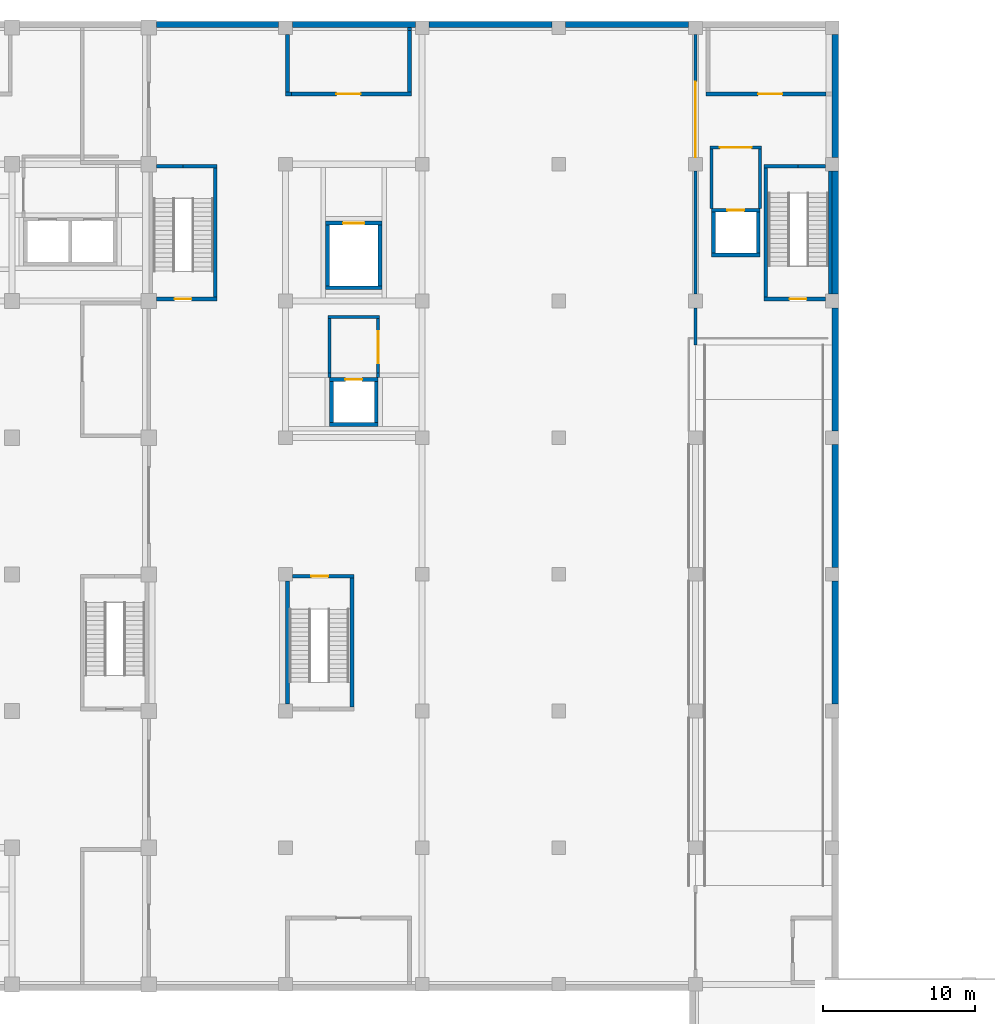
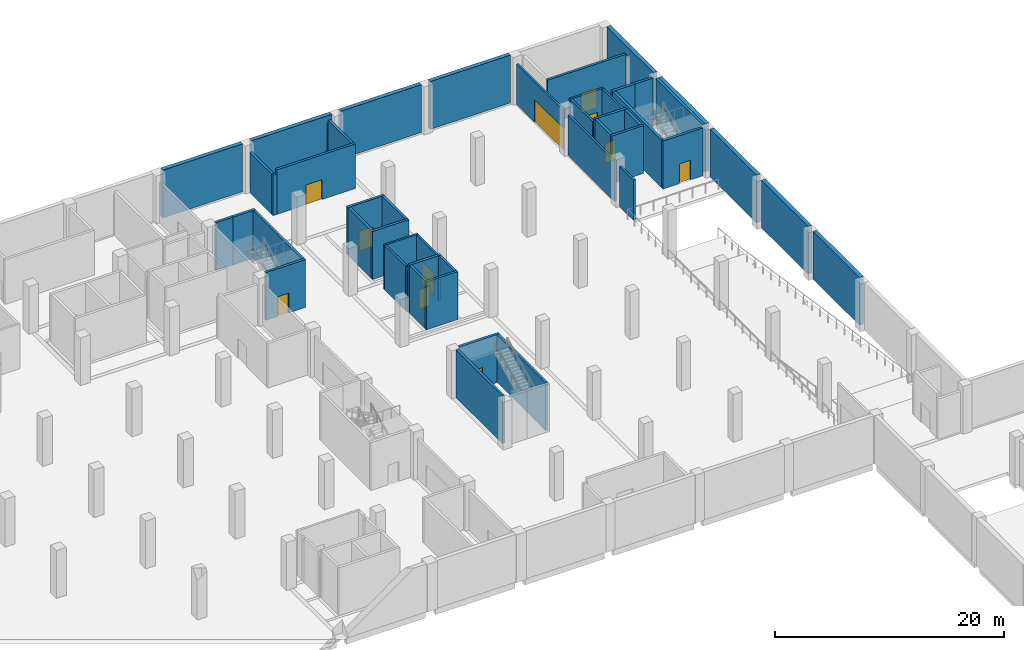
# One storey, part 9 of 16: 50 walls, 11 doors, 11 openings.
"""IFC4 building model written with IfcOpenShell, lengths in metres."""

from ifc_helpers import new_model, si_unit, direction, frame, frame_2d, origin, place, context, subcontext, project, spatial, rectangle, extrude, material, layer, layer_set, type_object, element, fill, save


model = new_model("IFC4")

# Units and contexts
model_context = context("Model", 3, precision=1e-05, world=origin(), true_north=direction((0.0, 1.0)))
body_context = subcontext(model_context, "Body", "Model", "MODEL_VIEW")
ifc_project = project(units=[si_unit("LENGTHUNIT", "METRE"), si_unit("AREAUNIT", "SQUARE_METRE"), si_unit("VOLUMEUNIT", "CUBIC_METRE"), si_unit("PLANEANGLEUNIT", "RADIAN"), si_unit("MASSUNIT", "GRAM", prefix="KILO")], contexts=[model_context])

# Site, building, storey
site_placement = place(None, origin())
site = spatial("IfcSite", under=ifc_project, at=site_placement, CompositionType="ELEMENT")
building_placement = place(site_placement, origin())
building = spatial("IfcBuilding", under=site, at=building_placement, Name="Guidao Yard Department Store", CompositionType="ELEMENT")
storey_placement = place(building_placement, frame((0.0, 0.0, -5.10009765625)))
storey = spatial("IfcBuildingStorey", under=building, at=storey_placement, Name="B1", CompositionType="ELEMENT", Elevation=-5.10009765625)

# Walls
ifc_material_1 = material(Name="Autoclaved aerated concrete block A3.5 B06", Category="concrete")
ifc_layer_1 = layer(ifc_material_1, 0.199951171875)
ifc_layer_set_1 = layer_set([ifc_layer_1], Name="Compartment Fire Wall 200 Autoclaved Block EI 180")
wall_type_1 = type_object("IfcWallType", Name="Compartment Fire Wall 200 Autoclaved Block EI 180", PredefinedType="PARTITIONING", material=ifc_layer_set_1)
wall_1_placement = place(storey_placement, frame((99.0, 87.10009765625, 0.0), z_axis=(0.0, 0.0, 1.0), x_axis=(0.0, 1.0, 0.0)))
element("IfcWall", 1, at=wall_1_placement, inside=storey, type_object=wall_type_1, Name="pt.wall.B1.0061", PredefinedType="PARTITIONING", context=body_context, shape_type="SweptSolid", body=[
    extrude(rectangle(XDim=2.449951171875, YDim=0.199951171875, at=frame_2d((1.22509765625, 0.0))), origin(), (0.0, 0.0, 1.0), 4.300048828125),
])
wall_2_placement = place(storey_placement, frame((99.0, 90.449951171875, 0.0), z_axis=(0.0, 0.0, 1.0), x_axis=(0.0, 1.0, 0.0)))
element("IfcWall", 2, at=wall_2_placement, inside=storey, type_object=wall_type_1, Name="pt.wall.B1.0062", PredefinedType="PARTITIONING", context=body_context, shape_type="SweptSolid", body=[
    extrude(rectangle(XDim=8.10009765625, YDim=0.199951171875, at=frame_2d((4.050048828125, 0.0))), origin(), (0.0, 0.0, 1.0), 4.300048828125),
])

# Wall, opening, door
wall_3_placement = place(storey_placement, frame((99.0, 99.449951171875, 0.0), z_axis=(0.0, 0.0, 1.0), x_axis=(0.0, 1.0, 0.0)))
wall_3 = element("IfcWall", 3, at=wall_3_placement, inside=storey, type_object=wall_type_1, Name="pt.wall.B1.0063", PredefinedType="PARTITIONING", context=body_context, shape_type="SweptSolid", body=[
    extrude(rectangle(XDim=8.10009765625, YDim=0.199951171875, at=frame_2d((4.050048828125, 0.0))), origin(), (0.0, 0.0, 1.0), 4.300048828125),
])
opening_1_placement = place(wall_3_placement, origin())
opening_1 = element("IfcOpeningElement", 4, at=opening_1_placement, cuts=wall_3, Name="Opening B1-429", PredefinedType="OPENING", context=body_context, shape_type="SweptSolid", body=[
    extrude(rectangle(XDim=5.0, YDim=2.39990234375, at=frame_2d((2.5, 1.199951171875))), frame((0.0, 0.10986328125, 0.0), z_axis=(0.0, -1.0, 0.0), x_axis=(1.0, 0.0, 0.0)), (0.0, 0.0, 1.0), 0.219970703125),
])
ifc_material_2 = material(Name="Steel Q235", Category="steel")
door_type_1 = type_object("IfcDoorType", Name="Fire Shutter 5000 x 2400 FD90", OperationType="ROLLINGUP", PredefinedType="DOOR", material=ifc_material_2)
door_1_placement = place(opening_1_placement, origin())
door_1 = element("IfcDoor", 5, at=door_1_placement, inside=storey, type_object=door_type_1, Name="Door B1-429", OperationType="SINGLE_SWING_LEFT", OverallHeight=2.39990234375, OverallWidth=5.0, PredefinedType="DOOR", context=body_context, shape_type="SweptSolid", body=[
    extrude(rectangle(XDim=5.0, YDim=2.39990234375, at=frame_2d((2.5, 1.199951171875))), frame((0.0, 0.02490234375, 0.0), z_axis=(0.0, -1.0, 0.0), x_axis=(1.0, 0.0, 0.0)), (0.0, 0.0, 1.0), 0.050048828125),
])
fill(opening_1, door_1)

# Walls
ifc_material_3 = material(Name="Concrete C40", Category="concrete")
ifc_layer_2 = layer(ifc_material_3, 0.39990234375)
ifc_layer_set_2 = layer_set([ifc_layer_2], Name="Retaining wall 400 C40")
wall_type_2 = type_object("IfcWallType", Name="Retaining wall 400 C40", PredefinedType="SOLIDWALL", material=ifc_layer_set_2)
for number, where, z_axis, x_axis, name in (
    (6, (108.199951171875, 63.449951171875, 0.0), (0.0, 0.0, 1.0), (0.0, 1.0, 0.0), "Retaining wall B1-040"),
    (7, (108.199951171875, 72.449951171875, 0.0), (0.0, 0.0, 1.0), (0.0, 1.0, 0.0), "Retaining wall B1-042"),
    (8, (108.199951171875, 81.449951171875, 0.0), (0.0, 0.0, 1.0), (0.0, 1.0, 0.0), "Retaining wall B1-044"),
    (9, (108.199951171875, 90.449951171875, 0.0), (0.0, 0.0, 1.0), (0.0, 1.0, 0.0), "Retaining wall B1-046"),
    (10, (108.199951171875, 99.449951171875, 0.0), (0.0, 0.0, 1.0), (0.0, 1.0, 0.0), "Retaining wall B1-048"),
):
    element("IfcWall", number, at=place(storey_placement, frame(where, z_axis=z_axis, x_axis=x_axis)), inside=storey, type_object=wall_type_2, Name=name, PredefinedType="SOLIDWALL", context=body_context, shape_type="SweptSolid", body=[
        extrude(rectangle(XDim=8.10009765625, YDim=0.39990234375, at=frame_2d((4.050048828125, 0.0))), origin(), (0.0, 0.0, 1.0), 5.10009765625),
    ])
wall_4_placement = place(storey_placement, frame((63.5, 108.199951171875, 0.0), z_axis=(0.0, 0.0, 1.0), x_axis=(1.0, 0.0, 0.0)))
element("IfcWall", 11, at=wall_4_placement, inside=storey, type_object=wall_type_2, Name="Retaining wall B1-057", PredefinedType="SOLIDWALL", context=body_context, shape_type="SweptSolid", body=[
    extrude(rectangle(XDim=8.050048828125, YDim=0.39990234375, at=frame_2d((4.02490234375, 0.0))), origin(), (0.0, 0.0, 1.0), 5.10009765625),
])
for number, where, z_axis, x_axis, name in (
    (12, (72.449951171875, 108.199951171875, 0.0), (0.0, 0.0, 1.0), (1.0, 0.0, 0.0), "Retaining wall B1-058"),
    (13, (81.449951171875, 108.199951171875, 0.0), (0.0, 0.0, 1.0), (1.0, 0.0, 0.0), "Retaining wall B1-059"),
    (14, (90.449951171875, 108.199951171875, 0.0), (0.0, 0.0, 1.0), (1.0, 0.0, 0.0), "Retaining wall B1-060"),
):
    element("IfcWall", number, at=place(storey_placement, frame(where, z_axis=z_axis, x_axis=x_axis)), inside=storey, type_object=wall_type_2, Name=name, PredefinedType="SOLIDWALL", context=body_context, shape_type="SweptSolid", body=[
        extrude(rectangle(XDim=8.10009765625, YDim=0.39990234375, at=frame_2d((4.050048828125, 0.0))), origin(), (0.0, 0.0, 1.0), 5.10009765625),
    ])
ifc_material_4 = material(Name="Autoclaved aerated concrete block A3.5 B06", Category="concrete")
ifc_layer_3 = layer(ifc_material_4, 0.199951171875)
ifc_layer_set_3 = layer_set([ifc_layer_3], Name="Shaft Wall 200 Autoclaved Block EI 120")
wall_type_3 = type_object("IfcWallType", Name="Shaft Wall 200 Autoclaved Block EI 120", PredefinedType="PARTITIONING", material=ifc_layer_set_3)
wall_5_placement = place(storey_placement, frame((74.800048828125, 88.949951171875, 0.0), z_axis=(0.0, 0.0, 1.0), x_axis=(1.0, 0.0, 0.0)))
element("IfcWall", 15, at=wall_5_placement, inside=storey, type_object=wall_type_3, Name="pt.wall.B1.0019", PredefinedType="PARTITIONING", context=body_context, shape_type="SweptSolid", body=[
    extrude(rectangle(XDim=3.39990234375, YDim=0.199951171875, at=frame_2d((1.699951171875, 0.0))), origin(), (0.0, 0.0, 1.0), 4.75),
])

# Wall, opening, door
wall_6_placement = place(storey_placement, frame((99.949951171875, 100.10009765625, 0.0), z_axis=(0.0, 0.0, 1.0), x_axis=(1.0, 0.0, 0.0)))
wall_6 = element("IfcWall", 16, at=wall_6_placement, inside=storey, type_object=wall_type_3, Name="pt.wall.B1.0027", PredefinedType="PARTITIONING", context=body_context, shape_type="SweptSolid", body=[
    extrude(rectangle(XDim=3.400146484375, YDim=0.199951171875, at=frame_2d((1.7001953125, 0.0))), origin(), (0.0, 0.0, 1.0), 4.75),
])
opening_2_placement = place(wall_6_placement, frame((2.75, 0.0, 0.0), z_axis=(0.0, 0.0, 1.0), x_axis=(-1.0, 0.0, 0.0)))
opening_2 = element("IfcOpeningElement", 17, at=opening_2_placement, cuts=wall_6, Name="Opening B1-423", PredefinedType="OPENING", context=body_context, shape_type="SweptSolid", body=[
    extrude(rectangle(XDim=2.10009765625, YDim=2.39990234375, at=frame_2d((1.050048828125, 1.199951171875))), frame((0.0, 0.10986328125, 0.0), z_axis=(0.0, -1.0, 0.0), x_axis=(1.0, 0.0, 0.0)), (0.0, 0.0, 1.0), 0.219970703125),
])
ifc_material_5 = material(Name="Timber door leaf with Steel Q235 frame", Category="steel")
door_type_2 = type_object("IfcDoorType", Name="Door 2100 x 2400 FD60 Double Leaf", OperationType="DOUBLE_DOOR_SINGLE_SWING", PredefinedType="DOOR", material=ifc_material_5)
door_2_placement = place(opening_2_placement, origin())
door_2 = element("IfcDoor", 18, at=door_2_placement, inside=storey, type_object=door_type_2, Name="Door B1-423", OperationType="DOUBLE_DOOR_SINGLE_SWING", OverallHeight=2.39990234375, OverallWidth=2.10009765625, PredefinedType="DOOR", context=body_context, shape_type="SweptSolid", body=[
    extrude(rectangle(XDim=2.10009765625, YDim=2.39990234375, at=frame_2d((1.050048828125, 1.199951171875))), frame((0.0, 0.02490234375, 0.0), z_axis=(0.0, -1.0, 0.0), x_axis=(1.0, 0.0, 0.0)), (0.0, 0.0, 1.0), 0.050048828125),
])
fill(opening_2, door_2)

# Walls
wall_7_placement = place(storey_placement, frame((74.89990234375, 84.949951171875, 0.0), z_axis=(0.0, 0.0, 1.0), x_axis=(0.0, 1.0, 0.0)))
element("IfcWall", 19, at=wall_7_placement, inside=storey, type_object=wall_type_3, Name="pt.wall.B1.0056", PredefinedType="PARTITIONING", context=body_context, shape_type="SweptSolid", body=[
    extrude(rectangle(XDim=0.300048828125, YDim=0.199951171875, at=frame_2d((0.14990234375, 0.0))), origin(), (0.0, 0.0, 1.0), 4.5),
])
wall_8_placement = place(storey_placement, frame((74.89990234375, 85.25, 0.0), z_axis=(0.0, 0.0, 1.0), x_axis=(0.0, 1.0, 0.0)))
element("IfcWall", 20, at=wall_8_placement, inside=storey, type_object=wall_type_3, Name="pt.wall.B1.0056a", PredefinedType="PARTITIONING", context=body_context, shape_type="SweptSolid", body=[
    extrude(rectangle(XDim=3.60009765625, YDim=0.199951171875, at=frame_2d((1.800048828125, 0.0))), origin(), (0.0, 0.0, 1.0), 4.75),
])
wall_9_placement = place(storey_placement, frame((78.10009765625, 84.949951171875, 0.0), z_axis=(0.0, 0.0, 1.0), x_axis=(0.0, 1.0, 0.0)))
element("IfcWall", 21, at=wall_9_placement, inside=storey, type_object=wall_type_3, Name="pt.wall.B1.0057", PredefinedType="PARTITIONING", context=body_context, shape_type="SweptSolid", body=[
    extrude(rectangle(XDim=0.300048828125, YDim=0.199951171875, at=frame_2d((0.14990234375, 0.0))), origin(), (0.0, 0.0, 1.0), 4.5),
])

# Wall, opening, door
wall_10_placement = place(storey_placement, frame((78.10009765625, 85.25, 0.0), z_axis=(0.0, 0.0, 1.0), x_axis=(0.0, 1.0, 0.0)))
wall_10 = element("IfcWall", 22, at=wall_10_placement, inside=storey, type_object=wall_type_3, Name="pt.wall.B1.0057a", PredefinedType="PARTITIONING", context=body_context, shape_type="SweptSolid", body=[
    extrude(rectangle(XDim=3.60009765625, YDim=0.199951171875, at=frame_2d((1.800048828125, 0.0))), origin(), (0.0, 0.0, 1.0), 4.75),
])
opening_3_placement = place(wall_10_placement, frame((0.64990234375, 0.0, 0.0)))
opening_3 = element("IfcOpeningElement", 23, at=opening_3_placement, cuts=wall_10, Name="Opening B1-422", PredefinedType="OPENING", context=body_context, shape_type="SweptSolid", body=[
    extrude(rectangle(XDim=2.10009765625, YDim=2.39990234375, at=frame_2d((1.050048828125, 1.199951171875))), frame((0.0, 0.10986328125, 0.0), z_axis=(0.0, -1.0, 0.0), x_axis=(1.0, 0.0, 0.0)), (0.0, 0.0, 1.0), 0.219970703125),
])
door_3_placement = place(opening_3_placement, origin())
door_3 = element("IfcDoor", 24, at=door_3_placement, inside=storey, type_object=door_type_2, Name="Door B1-422", OperationType="DOUBLE_DOOR_SINGLE_SWING", OverallHeight=2.39990234375, OverallWidth=2.10009765625, PredefinedType="DOOR", context=body_context, shape_type="SweptSolid", body=[
    extrude(rectangle(XDim=2.10009765625, YDim=2.39990234375, at=frame_2d((1.050048828125, 1.199951171875))), frame((0.0, 0.02490234375, 0.0), z_axis=(0.0, -1.0, 0.0), x_axis=(1.0, 0.0, 0.0)), (0.0, 0.0, 1.0), 0.050048828125),
])
fill(opening_3, door_3)

# Walls
for number, where, z_axis, x_axis, name in (
    (25, (100.050048828125, 96.10009765625, 0.0), (0.0, 0.0, 1.0), (0.0, 1.0, 0.0), "pt.wall.B1.0065"),
    (26, (103.25, 96.10009765625, 0.0), (0.0, 0.0, 1.0), (0.0, 1.0, 0.0), "pt.wall.B1.0066"),
):
    element("IfcWall", number, at=place(storey_placement, frame(where, z_axis=z_axis, x_axis=x_axis)), inside=storey, type_object=wall_type_3, Name=name, PredefinedType="PARTITIONING", context=body_context, shape_type="SweptSolid", body=[
        extrude(rectangle(XDim=3.89990234375, YDim=0.199951171875, at=frame_2d((1.949951171875, 0.0))), origin(), (0.0, 0.0, 1.0), 4.75),
    ])
ifc_material_6 = material(Name="Concrete C40", Category="concrete")
ifc_layer_4 = layer(ifc_material_6, 0.25)
ifc_layer_set_4 = layer_set([ifc_layer_4], Name="Support Wall 250 Concrete C40")
wall_type_4 = type_object("IfcWallType", Name="Support Wall 250 Concrete C40", PredefinedType="SOLIDWALL", material=ifc_layer_set_4)
wall_11_placement = place(storey_placement, frame((72.0, 103.625, 0.0), z_axis=(0.0, 0.0, 1.0), x_axis=(1.0, 0.0, 0.0)))
element("IfcWall", 27, at=wall_11_placement, inside=storey, type_object=wall_type_4, Name="pt.wall.B1.0029", PredefinedType="SOLIDWALL", context=body_context, shape_type="SweptSolid", body=[
    extrude(rectangle(XDim=0.39990234375, YDim=0.25, at=frame_2d((0.199951171875, 0.0))), origin(), (0.0, 0.0, 1.0), 4.300048828125),
])

# Wall, opening, door
wall_12_placement = place(storey_placement, frame((72.39990234375, 103.625, 0.0), z_axis=(0.0, 0.0, 1.0), x_axis=(1.0, 0.0, 0.0)))
wall_12 = element("IfcWall", 28, at=wall_12_placement, inside=storey, type_object=wall_type_4, Name="pt.wall.B1.0029a", PredefinedType="SOLIDWALL", context=body_context, shape_type="SweptSolid", body=[
    extrude(rectangle(XDim=7.900146484375, YDim=0.25, at=frame_2d((3.9501953125, 0.0))), origin(), (0.0, 0.0, 1.0), 4.75),
])
opening_4_placement = place(wall_12_placement, frame((2.949951171875, 0.0, 0.0)))
opening_4 = element("IfcOpeningElement", 29, at=opening_4_placement, cuts=wall_12, Name="Opening B1-413", PredefinedType="OPENING", context=body_context, shape_type="SweptSolid", body=[
    extrude(rectangle(XDim=1.60009765625, YDim=2.10009765625, at=frame_2d((0.800048828125, 1.050048828125))), frame((0.0, 0.135009765625, 0.0), z_axis=(0.0, -1.0, 0.0), x_axis=(1.0, 0.0, 0.0)), (0.0, 0.0, 1.0), 0.27001953125),
])
ifc_material_7 = material(Name="Timber door leaf with Steel Q235 frame", Category="steel")
door_type_3 = type_object("IfcDoorType", Name="Door 1600 x 2100 FD60 Double Leaf", OperationType="DOUBLE_DOOR_SINGLE_SWING", PredefinedType="DOOR", material=ifc_material_7)
door_4_placement = place(opening_4_placement, origin())
door_4 = element("IfcDoor", 30, at=door_4_placement, inside=storey, type_object=door_type_3, Name="Door B1-413", OperationType="DOUBLE_DOOR_SINGLE_SWING", OverallHeight=2.10009765625, OverallWidth=1.60009765625, PredefinedType="DOOR", context=body_context, shape_type="SweptSolid", body=[
    extrude(rectangle(XDim=1.60009765625, YDim=2.10009765625, at=frame_2d((0.800048828125, 1.050048828125))), frame((0.0, 0.02490234375, 0.0), z_axis=(0.0, -1.0, 0.0), x_axis=(1.0, 0.0, 0.0)), (0.0, 0.0, 1.0), 0.050048828125),
])
fill(opening_4, door_4)

wall_13_placement = place(storey_placement, frame((99.699951171875, 103.625, 0.0), z_axis=(0.0, 0.0, 1.0), x_axis=(1.0, 0.0, 0.0)))
wall_13 = element("IfcWall", 31, at=wall_13_placement, inside=storey, type_object=wall_type_4, Name="pt.wall.B1.0030", PredefinedType="SOLIDWALL", context=body_context, shape_type="SweptSolid", body=[
    extrude(rectangle(XDim=7.900146484375, YDim=0.25, at=frame_2d((3.9501953125, 0.0))), origin(), (0.0, 0.0, 1.0), 4.75),
])
opening_5_placement = place(wall_13_placement, frame((3.41259765625, 0.0, 0.0)))
opening_5 = element("IfcOpeningElement", 32, at=opening_5_placement, cuts=wall_13, Name="Opening B1-415", PredefinedType="OPENING", context=body_context, shape_type="SweptSolid", body=[
    extrude(rectangle(XDim=1.60009765625, YDim=2.10009765625, at=frame_2d((0.800048828125, 1.050048828125))), frame((0.0, 0.135009765625, 0.0), z_axis=(0.0, -1.0, 0.0), x_axis=(1.0, 0.0, 0.0)), (0.0, 0.0, 1.0), 0.27001953125),
])
door_5_placement = place(opening_5_placement, origin())
door_5 = element("IfcDoor", 33, at=door_5_placement, inside=storey, type_object=door_type_3, Name="Door B1-415", OperationType="DOUBLE_DOOR_SINGLE_SWING", OverallHeight=2.10009765625, OverallWidth=1.60009765625, PredefinedType="DOOR", context=body_context, shape_type="SweptSolid", body=[
    extrude(rectangle(XDim=1.60009765625, YDim=2.10009765625, at=frame_2d((0.800048828125, 1.050048828125))), frame((0.0, 0.02490234375, 0.0), z_axis=(0.0, -1.0, 0.0), x_axis=(1.0, 0.0, 0.0)), (0.0, 0.0, 1.0), 0.050048828125),
])
fill(opening_5, door_5)

# Walls
wall_14_placement = place(storey_placement, frame((72.125, 103.75, 0.0), z_axis=(0.0, 0.0, 1.0), x_axis=(0.0, 1.0, 0.0)))
element("IfcWall", 34, at=wall_14_placement, inside=storey, type_object=wall_type_4, Name="pt.wall.B1.0055", PredefinedType="SOLIDWALL", context=body_context, shape_type="SweptSolid", body=[
    extrude(rectangle(XDim=3.800048828125, YDim=0.25, at=frame_2d((1.89990234375, 0.0))), origin(), (0.0, 0.0, 1.0), 4.300048828125),
])
wall_15_placement = place(storey_placement, frame((80.175048828125, 103.75, 0.0), z_axis=(0.0, 0.0, 1.0), x_axis=(0.0, 1.0, 0.0)))
element("IfcWall", 35, at=wall_15_placement, inside=storey, type_object=wall_type_4, Name="pt.wall.B1.0059", PredefinedType="SOLIDWALL", context=body_context, shape_type="SweptSolid", body=[
    extrude(rectangle(XDim=4.050048828125, YDim=0.25, at=frame_2d((2.02490234375, 0.0))), origin(), (0.0, 0.0, 1.0), 4.75),
])
wall_16_placement = place(storey_placement, frame((80.175048828125, 107.800048828125, 0.0), z_axis=(0.0, 0.0, 1.0), x_axis=(0.0, 1.0, 0.0)))
element("IfcWall", 36, at=wall_16_placement, inside=storey, type_object=wall_type_4, Name="pt.wall.B1.0059a", PredefinedType="SOLIDWALL", context=body_context, shape_type="SweptSolid", body=[
    extrude(rectangle(XDim=0.199951171875, YDim=0.25, at=frame_2d((0.10009765625, 0.0))), origin(), (0.0, 0.0, 1.0), 4.300048828125),
])

# Wall, opening, door
ifc_material_8 = material(Name="Concrete C40", Category="concrete")
ifc_layer_5 = layer(ifc_material_8, 0.25)
ifc_layer_set_5 = layer_set([ifc_layer_5], Name="Wall RC 250 C40 stair and shaft")
wall_type_5 = type_object("IfcWallType", Name="Wall RC 250 C40 stair and shaft", PredefinedType="SHEAR", material=ifc_layer_set_5)
wall_17_placement = place(storey_placement, frame((72.449951171875, 71.875, 0.0), z_axis=(0.0, 0.0, 1.0), x_axis=(1.0, 0.0, 0.0)))
wall_17 = element("IfcWall", 37, at=wall_17_placement, inside=storey, type_object=wall_type_5, Name="Stair wall BSG1", PredefinedType="SHEAR", context=body_context, shape_type="SweptSolid", body=[
    extrude(rectangle(XDim=4.050048828125, YDim=0.25, at=frame_2d((2.02490234375, 0.0))), origin(), (0.0, 0.0, 1.0), 5.10009765625),
])
opening_6_placement = place(wall_17_placement, frame((2.35009765625, 0.0, 0.0), z_axis=(0.0, 0.0, 1.0), x_axis=(-1.0, 0.0, 0.0)))
opening_6 = element("IfcOpeningElement", 38, at=opening_6_placement, cuts=wall_17, Name="Opening B1-800", PredefinedType="OPENING", context=body_context, shape_type="SweptSolid", body=[
    extrude(rectangle(XDim=1.10009765625, YDim=2.10009765625, at=frame_2d((0.550048828125, 1.050048828125))), frame((0.0, 0.135009765625, 0.0), z_axis=(0.0, -1.0, 0.0), x_axis=(1.0, 0.0, 0.0)), (0.0, 0.0, 1.0), 0.27001953125),
])
ifc_material_9 = material(Name="Steel Q235", Category="steel")
door_type_4 = type_object("IfcDoorType", Name="Door fire-resisting 1100 x 2100 FD60", OperationType="SINGLE_SWING_LEFT", PredefinedType="DOOR", material=ifc_material_9)
door_6_placement = place(opening_6_placement, origin())
door_6 = element("IfcDoor", 39, at=door_6_placement, inside=storey, type_object=door_type_4, Name="Basement stair G1 door B1", OperationType="SINGLE_SWING_RIGHT", OverallHeight=2.10009765625, OverallWidth=1.10009765625, PredefinedType="DOOR", context=body_context, shape_type="SweptSolid", body=[
    extrude(rectangle(XDim=1.10009765625, YDim=2.10009765625, at=frame_2d((0.550048828125, 1.050048828125))), frame((0.0, 0.02490234375, 0.0), z_axis=(0.0, -1.0, 0.0), x_axis=(1.0, 0.0, 0.0)), (0.0, 0.0, 1.0), 0.050048828125),
])
fill(opening_6, door_6)

# Walls
wall_18_placement = place(storey_placement, frame((72.125, 63.449951171875, 0.0), z_axis=(0.0, 0.0, 1.0), x_axis=(0.0, 1.0, 0.0)))
element("IfcWall", 40, at=wall_18_placement, inside=storey, type_object=wall_type_5, Name="Stair wall BSG1", PredefinedType="SHEAR", context=body_context, shape_type="SweptSolid", body=[
    extrude(rectangle(XDim=8.10009765625, YDim=0.25, at=frame_2d((4.050048828125, 0.0))), origin(), (0.0, 0.0, 1.0), 5.10009765625),
])
wall_19_placement = place(storey_placement, frame((76.375, 63.25, 0.0), z_axis=(0.0, 0.0, 1.0), x_axis=(0.0, 1.0, 0.0)))
element("IfcWall", 41, at=wall_19_placement, inside=storey, type_object=wall_type_5, Name="Stair wall BSG1", PredefinedType="SHEAR", context=body_context, shape_type="SweptSolid", body=[
    extrude(rectangle(XDim=8.5, YDim=0.25, at=frame_2d((4.25, 0.0))), origin(), (0.0, 0.0, 1.0), 5.10009765625),
])

# Wall, opening, door
wall_20_placement = place(storey_placement, frame((103.5, 90.125, 0.0), z_axis=(0.0, 0.0, 1.0), x_axis=(1.0, 0.0, 0.0)))
wall_20 = element("IfcWall", 42, at=wall_20_placement, inside=storey, type_object=wall_type_5, Name="Stair wall BSG2", PredefinedType="SHEAR", context=body_context, shape_type="SweptSolid", body=[
    extrude(rectangle(XDim=4.050048828125, YDim=0.25, at=frame_2d((2.02490234375, 0.0))), origin(), (0.0, 0.0, 1.0), 5.10009765625),
])
opening_7_placement = place(wall_20_placement, frame((1.699951171875, 0.0, 0.0)))
opening_7 = element("IfcOpeningElement", 43, at=opening_7_placement, cuts=wall_20, Name="Opening B1-801", PredefinedType="OPENING", context=body_context, shape_type="SweptSolid", body=[
    extrude(rectangle(XDim=1.10009765625, YDim=2.10009765625, at=frame_2d((0.550048828125, 1.050048828125))), frame((0.0, 0.135009765625, 0.0), z_axis=(0.0, -1.0, 0.0), x_axis=(1.0, 0.0, 0.0)), (0.0, 0.0, 1.0), 0.27001953125),
])
door_7_placement = place(opening_7_placement, origin())
door_7 = element("IfcDoor", 44, at=door_7_placement, inside=storey, type_object=door_type_4, Name="Basement stair G2 door B1", OperationType="SINGLE_SWING_RIGHT", OverallHeight=2.10009765625, OverallWidth=1.10009765625, PredefinedType="DOOR", context=body_context, shape_type="SweptSolid", body=[
    extrude(rectangle(XDim=1.10009765625, YDim=2.10009765625, at=frame_2d((0.550048828125, 1.050048828125))), frame((0.0, 0.02490234375, 0.0), z_axis=(0.0, -1.0, 0.0), x_axis=(1.0, 0.0, 0.0)), (0.0, 0.0, 1.0), 0.050048828125),
])
fill(opening_7, door_7)

# Walls
wall_21_placement = place(storey_placement, frame((103.5, 98.875, 0.0), z_axis=(0.0, 0.0, 1.0), x_axis=(1.0, 0.0, 0.0)))
element("IfcWall", 45, at=wall_21_placement, inside=storey, type_object=wall_type_5, Name="Stair wall BSG2", PredefinedType="SHEAR", context=body_context, shape_type="SweptSolid", body=[
    extrude(rectangle(XDim=2.25, YDim=0.25, at=frame_2d((1.125, 0.0))), origin(), (0.0, 0.0, 1.0), 5.10009765625),
])
wall_22_placement = place(storey_placement, frame((105.75, 98.875, 0.0), z_axis=(0.0, 0.0, 1.0), x_axis=(1.0, 0.0, 0.0)))
element("IfcWall", 46, at=wall_22_placement, inside=storey, type_object=wall_type_5, Name="Stair wall BSG2", PredefinedType="SHEAR", context=body_context, shape_type="SweptSolid", body=[
    extrude(rectangle(XDim=1.800048828125, YDim=0.25, at=frame_2d((0.89990234375, 0.0))), origin(), (0.0, 0.0, 1.0), 5.10009765625),
])
wall_23_placement = place(storey_placement, frame((103.625, 90.25, 0.0), z_axis=(0.0, 0.0, 1.0), x_axis=(0.0, 1.0, 0.0)))
element("IfcWall", 47, at=wall_23_placement, inside=storey, type_object=wall_type_5, Name="Stair wall BSG2", PredefinedType="SHEAR", context=body_context, shape_type="SweptSolid", body=[
    extrude(rectangle(XDim=8.5, YDim=0.25, at=frame_2d((4.25, 0.0))), origin(), (0.0, 0.0, 1.0), 5.10009765625),
])
wall_24_placement = place(storey_placement, frame((107.875, 90.449951171875, 0.0), z_axis=(0.0, 0.0, 1.0), x_axis=(0.0, 1.0, 0.0)))
element("IfcWall", 48, at=wall_24_placement, inside=storey, type_object=wall_type_5, Name="Stair wall BSG2", PredefinedType="SHEAR", context=body_context, shape_type="SweptSolid", body=[
    extrude(rectangle(XDim=8.10009765625, YDim=0.25, at=frame_2d((4.050048828125, 0.0))), origin(), (0.0, 0.0, 1.0), 5.10009765625),
])

# Wall, opening, door
wall_25_placement = place(storey_placement, frame((63.5, 90.125, 0.0), z_axis=(0.0, 0.0, 1.0), x_axis=(1.0, 0.0, 0.0)))
wall_25 = element("IfcWall", 49, at=wall_25_placement, inside=storey, type_object=wall_type_5, Name="Stair wall BSH2", PredefinedType="SHEAR", context=body_context, shape_type="SweptSolid", body=[
    extrude(rectangle(XDim=4.0, YDim=0.25, at=frame_2d((2.0, 0.0))), origin(), (0.0, 0.0, 1.0), 5.10009765625),
])
opening_8_placement = place(wall_25_placement, frame((1.199951171875, 0.0, 0.0)))
opening_8 = element("IfcOpeningElement", 50, at=opening_8_placement, cuts=wall_25, Name="Opening B1-803", PredefinedType="OPENING", context=body_context, shape_type="SweptSolid", body=[
    extrude(rectangle(XDim=1.10009765625, YDim=2.10009765625, at=frame_2d((0.550048828125, 1.050048828125))), frame((0.0, 0.135009765625, 0.0), z_axis=(0.0, -1.0, 0.0), x_axis=(1.0, 0.0, 0.0)), (0.0, 0.0, 1.0), 0.27001953125),
])
door_8_placement = place(opening_8_placement, origin())
door_8 = element("IfcDoor", 51, at=door_8_placement, inside=storey, type_object=door_type_4, Name="Basement stair H2 door B1", OperationType="SINGLE_SWING_LEFT", OverallHeight=2.10009765625, OverallWidth=1.10009765625, PredefinedType="DOOR", context=body_context, shape_type="SweptSolid", body=[
    extrude(rectangle(XDim=1.10009765625, YDim=2.10009765625, at=frame_2d((0.550048828125, 1.050048828125))), frame((0.0, 0.02490234375, 0.0), z_axis=(0.0, -1.0, 0.0), x_axis=(1.0, 0.0, 0.0)), (0.0, 0.0, 1.0), 0.050048828125),
])
fill(opening_8, door_8)

# Walls
wall_26_placement = place(storey_placement, frame((63.5, 98.875, 0.0), z_axis=(0.0, 0.0, 1.0), x_axis=(1.0, 0.0, 0.0)))
element("IfcWall", 52, at=wall_26_placement, inside=storey, type_object=wall_type_5, Name="Stair wall BSH2", PredefinedType="SHEAR", context=body_context, shape_type="SweptSolid", body=[
    extrude(rectangle(XDim=1.75, YDim=0.25, at=frame_2d((0.875, 0.0))), origin(), (0.0, 0.0, 1.0), 5.10009765625),
])
wall_27_placement = place(storey_placement, frame((65.25, 98.875, 0.0), z_axis=(0.0, 0.0, 1.0), x_axis=(1.0, 0.0, 0.0)))
element("IfcWall", 53, at=wall_27_placement, inside=storey, type_object=wall_type_5, Name="Stair wall BSH2", PredefinedType="SHEAR", context=body_context, shape_type="SweptSolid", body=[
    extrude(rectangle(XDim=2.25, YDim=0.25, at=frame_2d((1.125, 0.0))), origin(), (0.0, 0.0, 1.0), 5.10009765625),
])
wall_28_placement = place(storey_placement, frame((67.375, 90.25, 0.0), z_axis=(0.0, 0.0, 1.0), x_axis=(0.0, 1.0, 0.0)))
element("IfcWall", 54, at=wall_28_placement, inside=storey, type_object=wall_type_5, Name="Stair wall BSH2", PredefinedType="SHEAR", context=body_context, shape_type="SweptSolid", body=[
    extrude(rectangle(XDim=8.5, YDim=0.25, at=frame_2d((4.25, 0.0))), origin(), (0.0, 0.0, 1.0), 5.10009765625),
])

# Wall, opening, door
wall_29_placement = place(storey_placement, frame((74.89990234375, 84.824951171875, 0.0), z_axis=(0.0, 0.0, 1.0), x_axis=(1.0, 0.0, 0.0)))
wall_29 = element("IfcWall", 55, at=wall_29_placement, inside=storey, type_object=wall_type_5, Name="Lift shaft wall GL1", PredefinedType="SHEAR", context=body_context, shape_type="SweptSolid", body=[
    extrude(rectangle(XDim=3.2001953125, YDim=0.25, at=frame_2d((1.60009765625, 0.0))), origin(), (0.0, 0.0, 1.0), 5.10009765625),
])
opening_9_placement = place(wall_29_placement, frame((1.050048828125, 0.0, 0.0)))
opening_9 = element("IfcOpeningElement", 56, at=opening_9_placement, cuts=wall_29, Name="Opening LD-GL1-B1", PredefinedType="OPENING", context=body_context, shape_type="SweptSolid", body=[
    extrude(rectangle(XDim=1.10009765625, YDim=2.10009765625, at=frame_2d((0.550048828125, 1.050048828125))), frame((0.0, 0.135009765625, 0.0), z_axis=(0.0, -1.0, 0.0), x_axis=(1.0, 0.0, 0.0)), (0.0, 0.0, 1.0), 0.27001953125),
])
ifc_material_10 = material(Name="Stainless steel 06Cr19Ni10", Category="steel")
door_type_5 = type_object("IfcDoorType", Name="Lift landing door fire-resisting sliding 1100 x 2100", OperationType="DOUBLE_DOOR_SLIDING", PredefinedType="DOOR", material=ifc_material_10)
door_9_placement = place(opening_9_placement, origin())
door_9 = element("IfcDoor", 57, at=door_9_placement, inside=storey, type_object=door_type_5, Name="Lift landing door GL1 B1", OperationType="DOUBLE_DOOR_SLIDING", OverallHeight=2.10009765625, OverallWidth=1.10009765625, PredefinedType="DOOR", context=body_context, shape_type="SweptSolid", body=[
    extrude(rectangle(XDim=1.10009765625, YDim=2.10009765625, at=frame_2d((0.550048828125, 1.050048828125))), frame((0.0, 0.02490234375, 0.0), z_axis=(0.0, -1.0, 0.0), x_axis=(1.0, 0.0, 0.0)), (0.0, 0.0, 1.0), 0.050048828125),
])
fill(opening_9, door_9)

# Walls
wall_30_placement = place(storey_placement, frame((74.89990234375, 81.875, 0.0), z_axis=(0.0, 0.0, 1.0), x_axis=(1.0, 0.0, 0.0)))
element("IfcWall", 58, at=wall_30_placement, inside=storey, type_object=wall_type_5, Name="Lift shaft wall GL1", PredefinedType="SHEAR", context=body_context, shape_type="SweptSolid", body=[
    extrude(rectangle(XDim=3.2001953125, YDim=0.25, at=frame_2d((1.60009765625, 0.0))), origin(), (0.0, 0.0, 1.0), 5.10009765625),
])
for number, where, z_axis, x_axis, name in (
    (59, (75.02490234375, 82.0, 0.0), (0.0, 0.0, 1.0), (0.0, 1.0, 0.0), "Lift shaft wall GL1"),
    (60, (77.97509765625, 82.0, 0.0), (0.0, 0.0, 1.0), (0.0, 1.0, 0.0), "Lift shaft wall GL1"),
):
    element("IfcWall", number, at=place(storey_placement, frame(where, z_axis=z_axis, x_axis=x_axis)), inside=storey, type_object=wall_type_5, Name=name, PredefinedType="SHEAR", context=body_context, shape_type="SweptSolid", body=[
        extrude(rectangle(XDim=2.699951171875, YDim=0.25, at=frame_2d((1.35009765625, 0.0))), origin(), (0.0, 0.0, 1.0), 5.10009765625),
    ])

# Wall, opening, door
wall_31_placement = place(storey_placement, frame((74.64990234375, 95.125, 0.0), z_axis=(0.0, 0.0, 1.0), x_axis=(1.0, 0.0, 0.0)))
wall_31 = element("IfcWall", 61, at=wall_31_placement, inside=storey, type_object=wall_type_5, Name="Lift shaft wall GG1", PredefinedType="SHEAR", context=body_context, shape_type="SweptSolid", body=[
    extrude(rectangle(XDim=3.7001953125, YDim=0.25, at=frame_2d((1.85009765625, 0.0))), origin(), (0.0, 0.0, 1.0), 5.10009765625),
])
opening_10_placement = place(wall_31_placement, frame((1.14990234375, 0.0, 0.0)))
opening_10 = element("IfcOpeningElement", 62, at=opening_10_placement, cuts=wall_31, Name="Opening LD-GG1-B1", PredefinedType="OPENING", context=body_context, shape_type="SweptSolid", body=[
    extrude(rectangle(XDim=1.39990234375, YDim=2.10009765625, at=frame_2d((0.699951171875, 1.050048828125))), frame((0.0, 0.135009765625, 0.0), z_axis=(0.0, -1.0, 0.0), x_axis=(1.0, 0.0, 0.0)), (0.0, 0.0, 1.0), 0.27001953125),
])
ifc_material_11 = material(Name="Stainless steel 06Cr19Ni10", Category="steel")
door_type_6 = type_object("IfcDoorType", Name="Lift landing door fire-resisting sliding 1400 x 2100", OperationType="DOUBLE_DOOR_SLIDING", PredefinedType="DOOR", material=ifc_material_11)
door_10_placement = place(opening_10_placement, origin())
door_10 = element("IfcDoor", 63, at=door_10_placement, inside=storey, type_object=door_type_6, Name="Lift landing door GG1 B1", OperationType="DOUBLE_DOOR_SLIDING", OverallHeight=2.10009765625, OverallWidth=1.39990234375, PredefinedType="DOOR", context=body_context, shape_type="SweptSolid", body=[
    extrude(rectangle(XDim=1.39990234375, YDim=2.10009765625, at=frame_2d((0.699951171875, 1.050048828125))), frame((0.0, 0.02490234375, 0.0), z_axis=(0.0, -1.0, 0.0), x_axis=(1.0, 0.0, 0.0)), (0.0, 0.0, 1.0), 0.050048828125),
])
fill(opening_10, door_10)

# Walls
wall_32_placement = place(storey_placement, frame((74.64990234375, 90.875, 0.0), z_axis=(0.0, 0.0, 1.0), x_axis=(1.0, 0.0, 0.0)))
element("IfcWall", 64, at=wall_32_placement, inside=storey, type_object=wall_type_5, Name="Lift shaft wall GG1", PredefinedType="SHEAR", context=body_context, shape_type="SweptSolid", body=[
    extrude(rectangle(XDim=3.7001953125, YDim=0.25, at=frame_2d((1.85009765625, 0.0))), origin(), (0.0, 0.0, 1.0), 5.10009765625),
])
for number, where, z_axis, x_axis, name in (
    (65, (74.77490234375, 91.0, 0.0), (0.0, 0.0, 1.0), (0.0, 1.0, 0.0), "Lift shaft wall GG1"),
    (66, (78.22509765625, 91.0, 0.0), (0.0, 0.0, 1.0), (0.0, 1.0, 0.0), "Lift shaft wall GG1"),
):
    element("IfcWall", number, at=place(storey_placement, frame(where, z_axis=z_axis, x_axis=x_axis)), inside=storey, type_object=wall_type_5, Name=name, PredefinedType="SHEAR", context=body_context, shape_type="SweptSolid", body=[
        extrude(rectangle(XDim=4.0, YDim=0.25, at=frame_2d((2.0, 0.0))), origin(), (0.0, 0.0, 1.0), 5.10009765625),
    ])

# Wall, opening, door
wall_33_placement = place(storey_placement, frame((100.050048828125, 95.97509765625, 0.0), z_axis=(0.0, 0.0, 1.0), x_axis=(1.0, 0.0, 0.0)))
wall_33 = element("IfcWall", 67, at=wall_33_placement, inside=storey, type_object=wall_type_5, Name="Lift shaft wall GL2", PredefinedType="SHEAR", context=body_context, shape_type="SweptSolid", body=[
    extrude(rectangle(XDim=3.199951171875, YDim=0.25, at=frame_2d((1.60009765625, 0.0))), origin(), (0.0, 0.0, 1.0), 5.10009765625),
])
opening_11_placement = place(wall_33_placement, frame((1.050048828125, 0.0, 0.0)))
opening_11 = element("IfcOpeningElement", 68, at=opening_11_placement, cuts=wall_33, Name="Opening LD-GL2-B1", PredefinedType="OPENING", context=body_context, shape_type="SweptSolid", body=[
    extrude(rectangle(XDim=1.10009765625, YDim=2.10009765625, at=frame_2d((0.550048828125, 1.050048828125))), frame((0.0, 0.135009765625, 0.0), z_axis=(0.0, -1.0, 0.0), x_axis=(1.0, 0.0, 0.0)), (0.0, 0.0, 1.0), 0.27001953125),
])
door_11_placement = place(opening_11_placement, origin())
door_11 = element("IfcDoor", 69, at=door_11_placement, inside=storey, type_object=door_type_5, Name="Lift landing door GL2 B1", OperationType="DOUBLE_DOOR_SLIDING", OverallHeight=2.10009765625, OverallWidth=1.10009765625, PredefinedType="DOOR", context=body_context, shape_type="SweptSolid", body=[
    extrude(rectangle(XDim=1.10009765625, YDim=2.10009765625, at=frame_2d((0.550048828125, 1.050048828125))), frame((0.0, 0.02490234375, 0.0), z_axis=(0.0, -1.0, 0.0), x_axis=(1.0, 0.0, 0.0)), (0.0, 0.0, 1.0), 0.050048828125),
])
fill(opening_11, door_11)

# Walls
wall_34_placement = place(storey_placement, frame((100.050048828125, 93.02490234375, 0.0), z_axis=(0.0, 0.0, 1.0), x_axis=(1.0, 0.0, 0.0)))
element("IfcWall", 70, at=wall_34_placement, inside=storey, type_object=wall_type_5, Name="Lift shaft wall GL2", PredefinedType="SHEAR", context=body_context, shape_type="SweptSolid", body=[
    extrude(rectangle(XDim=3.199951171875, YDim=0.25, at=frame_2d((1.60009765625, 0.0))), origin(), (0.0, 0.0, 1.0), 5.10009765625),
])
for number, where, z_axis, x_axis, name in (
    (71, (100.175048828125, 93.14990234375, 0.0), (0.0, 0.0, 1.0), (0.0, 1.0, 0.0), "Lift shaft wall GL2"),
    (72, (103.125, 93.14990234375, 0.0), (0.0, 0.0, 1.0), (0.0, 1.0, 0.0), "Lift shaft wall GL2"),
):
    element("IfcWall", number, at=place(storey_placement, frame(where, z_axis=z_axis, x_axis=x_axis)), inside=storey, type_object=wall_type_5, Name=name, PredefinedType="SHEAR", context=body_context, shape_type="SweptSolid", body=[
        extrude(rectangle(XDim=2.7001953125, YDim=0.25, at=frame_2d((1.35009765625, 0.0))), origin(), (0.0, 0.0, 1.0), 5.10009765625),
    ])

save(model, "model.ifc")
